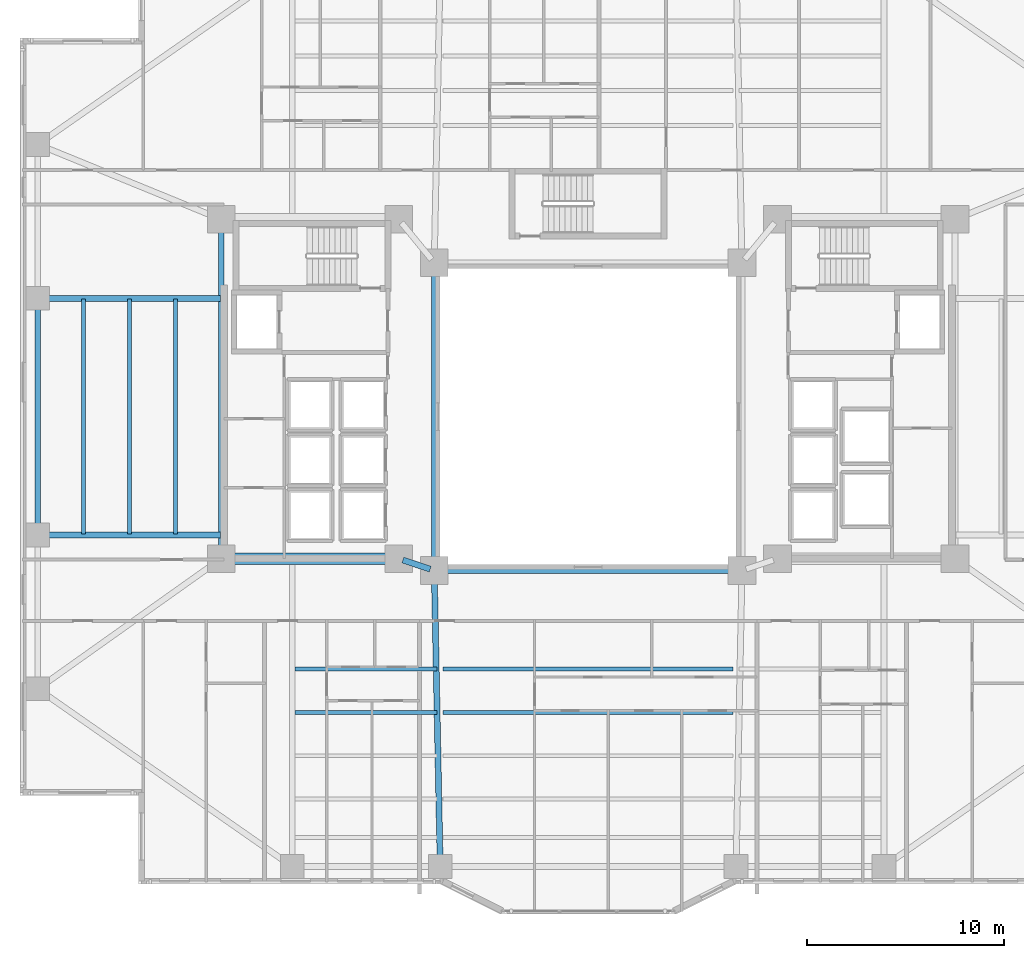
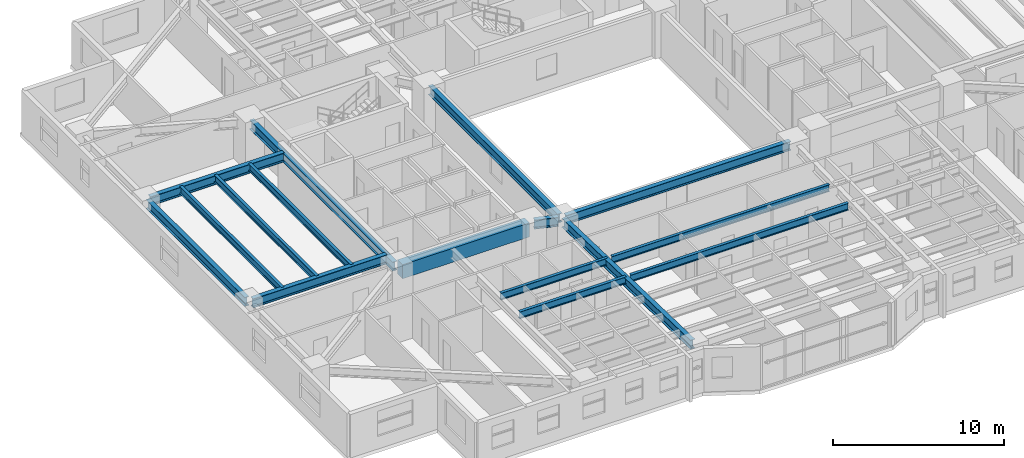
# One storey, part 3 of 21: 16 beams.
"""IFC4 building model written with IfcOpenShell, lengths in metres."""

from ifc_helpers import new_model, si_unit, direction, frame, origin, origin_2d, place, context, subcontext, project, spatial, rectangle, i_section, extrude, material, material_profile, profile_set, type_object, element, save


model = new_model("IFC4")

# Units and contexts
model_context = context("Model", 3, precision=1e-05, world=origin(), true_north=direction((0.0, 1.0)))
body_context = subcontext(model_context, "Body", "Model", "MODEL_VIEW")
ifc_project = project(units=[si_unit("LENGTHUNIT", "METRE"), si_unit("AREAUNIT", "SQUARE_METRE"), si_unit("VOLUMEUNIT", "CUBIC_METRE"), si_unit("PLANEANGLEUNIT", "RADIAN"), si_unit("MASSUNIT", "GRAM", prefix="KILO")], contexts=[model_context])

# Site, building, storey
site_placement = place(None, origin())
site = spatial("IfcSite", under=ifc_project, at=site_placement, CompositionType="ELEMENT")
building_placement = place(site_placement, origin())
building = spatial("IfcBuilding", under=site, at=building_placement, Name="Tarnavaz Court Tower", CompositionType="ELEMENT")
storey_placement = place(building_placement, frame((0.0, 0.0, 40.75)))
storey = spatial("IfcBuildingStorey", under=building, at=storey_placement, Name="L10", CompositionType="ELEMENT", Elevation=40.75)

# Beams
ifc_material_1 = material(Name="Concrete C60/75", Category="concrete")
ifc_material_profile_1 = material_profile(ifc_material_1, rectangle(XDim=0.60009765625, YDim=1.0, at=origin_2d()), Name="RC 600X1000")
ifc_profile_set_1 = profile_set([ifc_material_profile_1], Name="Concrete C60/75")
beam_type_1 = type_object("IfcBeamType", Name="BM-CB1000", PredefinedType="LINTEL", material=ifc_profile_set_1)
beam_1_placement = place(storey_placement, frame((-18.3798828125, -7.199951171875, 2.60009765625), z_axis=(1.0, 0.0, 0.0), x_axis=(0.0, 1.0, 0.0)))
element("IfcBeam", 1, at=beam_1_placement, inside=storey, type_object=beam_type_1, Name="L10 Beam IN-CW-SO-CW-SI", PredefinedType="LINTEL", context=body_context, shape_type="SweptSolid", body=[
    extrude(rectangle(XDim=0.60009765625, YDim=1.0, at=origin_2d()), origin(), (0.0, 0.0, 1.0), 8.559814453125),
])
ifc_material_2 = material(Name="Steel S355", Category="steel")
ifc_material_profile_2 = material_profile(ifc_material_2, i_section(OverallWidth=0.300048828125, OverallDepth=0.64990234375, WebThickness=0.01611328125, FlangeThickness=0.031005859375, FilletRadius=0.027099609375, at=origin_2d()), Name="HEB 650")
ifc_profile_set_2 = profile_set([ifc_material_profile_2], Name="Steel S355")
beam_type_2 = type_object("IfcBeamType", Name="BM-G-HEB650", PredefinedType="USERDEFINED", material=ifc_profile_set_2)
beam_2_placement = place(storey_placement, frame((-9.391357421875, -7.26953125, 2.77490234375), z_axis=(0.948666544706, -0.316278021615, 0.0), x_axis=(0.316278021615, 0.948666544706, 0.0)))
element("IfcBeam", 2, at=beam_2_placement, inside=storey, type_object=beam_type_2, Name="L10 Beam IN-CW-SI-IW-SW", ObjectType="GIRDER", PredefinedType="USERDEFINED", context=body_context, shape_type="SweptSolid", body=[
    extrude(i_section(OverallWidth=0.300048828125, OverallDepth=0.64990234375, WebThickness=0.01611328125, FlangeThickness=0.031005859375, FilletRadius=0.027099609375, at=origin_2d()), origin(), (0.0, 0.0, 1.0), 1.457275390625),
])
beam_3_placement = place(storey_placement, frame((-18.60009765625, -6.97998046875, 2.77490234375), z_axis=(0.0, 1.0, 0.0), x_axis=(-1.0, 0.0, 0.0)))
element("IfcBeam", 3, at=beam_3_placement, inside=storey, type_object=beam_type_2, Name="L10 Beam IN-CW-SO-CW-NO", ObjectType="GIRDER", PredefinedType="USERDEFINED", context=body_context, shape_type="SweptSolid", body=[
    extrude(i_section(OverallWidth=0.300048828125, OverallDepth=0.64990234375, WebThickness=0.01611328125, FlangeThickness=0.031005859375, FilletRadius=0.027099609375, at=origin_2d()), origin(), (0.0, 0.0, 1.0), 16.760009765625),
])
beam_4_placement = place(storey_placement, frame((-7.795654296875, -8.02001953125, 2.77490234375), z_axis=(0.020000023066, -0.999799979535, 0.0), x_axis=(0.999799979535, 0.020000023066, 0.0)))
element("IfcBeam", 4, at=beam_4_placement, inside=storey, type_object=beam_type_2, Name="L10 Beam RG-06", ObjectType="GIRDER", PredefinedType="USERDEFINED", context=body_context, shape_type="SweptSolid", body=[
    extrude(i_section(OverallWidth=0.300048828125, OverallDepth=0.64990234375, WebThickness=0.01611328125, FlangeThickness=0.031005859375, FilletRadius=0.027099609375, at=origin_2d()), origin(), (0.0, 0.0, 1.0), 14.56298828125),
])
for number, where, z_axis, x_axis, name in (
    (5, (-18.639892578125, -6.0, 2.77490234375), (-1.0, 0.0, 0.0), (0.0, -1.0, 0.0), "L10 Beam RG-13"),
    (6, (-18.639892578125, 6.0, 2.77490234375), (-1.0, 0.0, 0.0), (0.0, -1.0, 0.0), "L10 Beam RG-14"),
):
    element("IfcBeam", number, at=place(storey_placement, frame(where, z_axis=z_axis, x_axis=x_axis)), inside=storey, type_object=beam_type_2, Name=name, ObjectType="GIRDER", PredefinedType="USERDEFINED", context=body_context, shape_type="SweptSolid", body=[
        extrude(i_section(OverallWidth=0.300048828125, OverallDepth=0.64990234375, WebThickness=0.01611328125, FlangeThickness=0.031005859375, FilletRadius=0.027099609375, at=origin_2d()), origin(), (0.0, 0.0, 1.0), 9.0400390625),
    ])
ifc_material_profile_3 = material_profile(ifc_material_2, i_section(OverallWidth=0.199951171875, OverallDepth=0.5, WebThickness=0.01025390625, FlangeThickness=0.01611328125, FilletRadius=0.02099609375, at=origin_2d()), Name="IPE 500")
ifc_profile_set_3 = profile_set([ifc_material_profile_3], Name="Steel S355")
beam_type_3 = type_object("IfcBeamType", Name="BM-J-IPE500", PredefinedType="JOIST", material=ifc_profile_set_3)
beam_5_placement = place(storey_placement, frame((-14.85009765625, -12.7958984375, 2.85009765625), z_axis=(1.0, 0.0, 0.0), x_axis=(0.0, 1.0, 0.0)))
element("IfcBeam", 7, at=beam_5_placement, inside=storey, type_object=beam_type_3, Name="L10 Beam JS1-1", PredefinedType="JOIST", context=body_context, shape_type="SweptSolid", body=[
    extrude(i_section(OverallWidth=0.199951171875, OverallDepth=0.5, WebThickness=0.01025390625, FlangeThickness=0.01611328125, FilletRadius=0.02099609375, at=origin_2d()), origin(), (0.0, 0.0, 1.0), 7.2001953125),
])
beam_6_placement = place(storey_placement, frame((-7.35009765625, -12.7958984375, 2.85009765625), z_axis=(1.0, 0.0, 0.0), x_axis=(0.0, 1.0, 0.0)))
element("IfcBeam", 8, at=beam_6_placement, inside=storey, type_object=beam_type_3, Name="L10 Beam JS1-2", PredefinedType="JOIST", context=body_context, shape_type="SweptSolid", body=[
    extrude(i_section(OverallWidth=0.199951171875, OverallDepth=0.5, WebThickness=0.01025390625, FlangeThickness=0.01611328125, FilletRadius=0.02099609375, at=origin_2d()), origin(), (0.0, 0.0, 1.0), 14.7001953125),
])
beam_7_placement = place(storey_placement, frame((-14.85009765625, -14.991943359375, 2.85009765625), z_axis=(1.0, 0.0, 0.0), x_axis=(0.0, 1.0, 0.0)))
element("IfcBeam", 9, at=beam_7_placement, inside=storey, type_object=beam_type_3, Name="L10 Beam JS2-1", PredefinedType="JOIST", context=body_context, shape_type="SweptSolid", body=[
    extrude(i_section(OverallWidth=0.199951171875, OverallDepth=0.5, WebThickness=0.01025390625, FlangeThickness=0.01611328125, FilletRadius=0.02099609375, at=origin_2d()), origin(), (0.0, 0.0, 1.0), 7.2001953125),
])
beam_8_placement = place(storey_placement, frame((-7.35009765625, -14.991943359375, 2.85009765625), z_axis=(1.0, 0.0, 0.0), x_axis=(0.0, 1.0, 0.0)))
element("IfcBeam", 10, at=beam_8_placement, inside=storey, type_object=beam_type_3, Name="L10 Beam JS2-2", PredefinedType="JOIST", context=body_context, shape_type="SweptSolid", body=[
    extrude(i_section(OverallWidth=0.199951171875, OverallDepth=0.5, WebThickness=0.01025390625, FlangeThickness=0.01611328125, FilletRadius=0.02099609375, at=origin_2d()), origin(), (0.0, 0.0, 1.0), 14.7001953125),
])
for number, where, z_axis, x_axis, name in (
    (11, (-20.925048828125, -5.9599609375, 2.85009765625), (0.0, 1.0, 0.0), (-1.0, 0.0, 0.0), "L10 Beam JW1"),
    (12, (-23.25, -5.9599609375, 2.85009765625), (0.0, 1.0, 0.0), (-1.0, 0.0, 0.0), "L10 Beam JW2"),
    (13, (-25.574951171875, -5.9599609375, 2.85009765625), (0.0, 1.0, 0.0), (-1.0, 0.0, 0.0), "L10 Beam JW3"),
):
    element("IfcBeam", number, at=place(storey_placement, frame(where, z_axis=z_axis, x_axis=x_axis)), inside=storey, type_object=beam_type_3, Name=name, PredefinedType="JOIST", context=body_context, shape_type="SweptSolid", body=[
        extrude(i_section(OverallWidth=0.199951171875, OverallDepth=0.5, WebThickness=0.01025390625, FlangeThickness=0.01611328125, FilletRadius=0.02099609375, at=origin_2d()), origin(), (0.0, 0.0, 1.0), 11.919921875),
    ])
ifc_material_profile_4 = material_profile(ifc_material_2, i_section(OverallWidth=0.300048828125, OverallDepth=0.639892578125, WebThickness=0.013427734375, FlangeThickness=0.02587890625, FilletRadius=0.027099609375, at=origin_2d()), Name="HEA 650")
ifc_profile_set_4 = profile_set([ifc_material_profile_4], Name="Steel S355")
beam_type_4 = type_object("IfcBeamType", Name="BM-SP-HEA650", PredefinedType="SPANDREL", material=ifc_profile_set_4)
for number, where, z_axis, x_axis, name in (
    (14, (-7.580078125, -7.800048828125, 2.780029296875), (1.0, 0.0, 0.0), (0.0, 1.0, 0.0), "L10 Beam IN-IW-SW-IW-SE"),
    (15, (-7.800048828125, -7.580078125, 2.780029296875), (0.0, 1.0, 0.0), (-1.0, 0.0, 0.0), "L10 Beam IN-IW-SW-IW-NW"),
):
    element("IfcBeam", number, at=place(storey_placement, frame(where, z_axis=z_axis, x_axis=x_axis)), inside=storey, type_object=beam_type_4, Name=name, PredefinedType="SPANDREL", context=body_context, shape_type="SweptSolid", body=[
        extrude(i_section(OverallWidth=0.300048828125, OverallDepth=0.639892578125, WebThickness=0.013427734375, FlangeThickness=0.02587890625, FilletRadius=0.027099609375, at=origin_2d()), origin(), (0.0, 0.0, 1.0), 15.16015625),
    ])
beam_9_placement = place(storey_placement, frame((-27.89990234375, -5.780029296875, 2.780029296875), z_axis=(0.0, 1.0, 0.0), x_axis=(-1.0, 0.0, 0.0)))
element("IfcBeam", 16, at=beam_9_placement, inside=storey, type_object=beam_type_4, Name="L10 Beam PR-PW-2-PW-3", PredefinedType="SPANDREL", context=body_context, shape_type="SweptSolid", body=[
    extrude(i_section(OverallWidth=0.300048828125, OverallDepth=0.639892578125, WebThickness=0.013427734375, FlangeThickness=0.02587890625, FilletRadius=0.027099609375, at=origin_2d()), origin(), (0.0, 0.0, 1.0), 11.56005859375),
])

save(model, "model.ifc")
